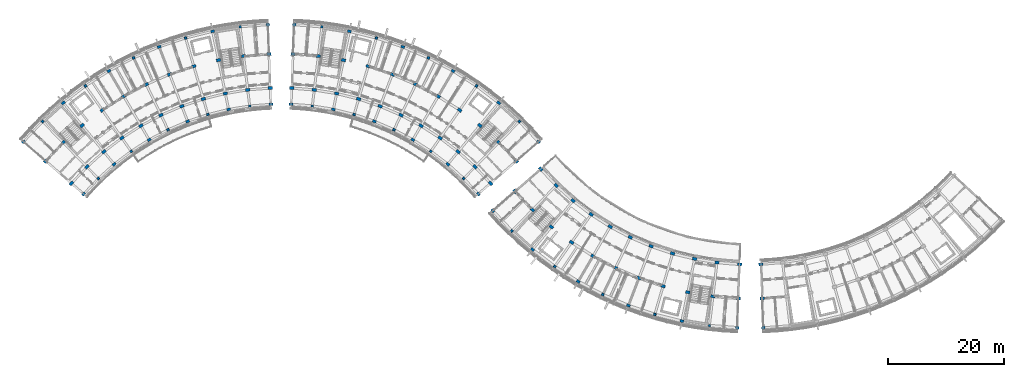
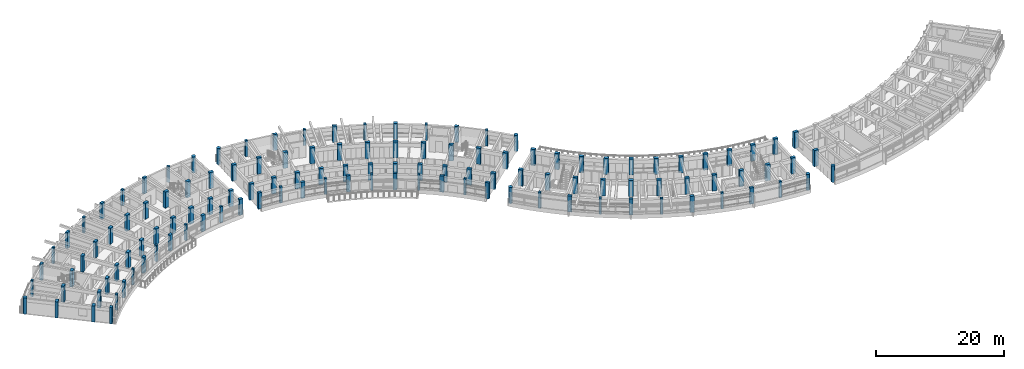
# One storey, part 1 of 54: 124 columns.
"""IFC4 building model written with IfcOpenShell, lengths in metres."""

import ifcopenshell
import ifcopenshell.guid

model = None  # the IFC model being written
_history = None  # IfcOwnerHistory: only IFC2X3 demands one
_inside = {}  # id of a spatial element -> (the spatial element, [elements in it])
_under = {}  # id of a project, library or spatial element -> (it, [spatial elements below it])
_declared = {}  # id of a project -> (the project, [libraries it declares])
_typed = {}  # id of a type object -> (the type object, [elements of that type])
_made_of = {}  # id of a material, layer set ... -> (it, [elements and type objects made of it])


def new_model(schema):
    """Start an empty IFC model of exactly this schema.

    Asked for "IFC4X3", IfcOpenShell would pick the latest addendum, in which some entities
    have other attributes; the version numbers below select the first issue.
    IFC2X3 requires an IfcOwnerHistory on every rooted entity: one is made here for all.
    """
    global model, _history
    if schema == "IFC4X3":
        model = ifcopenshell.file(schema_version=(4, 3, 0, 0))
    else:
        model = ifcopenshell.file(schema=schema)
    _inside.clear()
    _under.clear()
    _declared.clear()
    _typed.clear()
    _made_of.clear()
    _history = None
    if model.schema == "IFC2X3":
        org = make("IfcOrganization", Name="unknown")
        user = make(
            "IfcPersonAndOrganization",
            ThePerson=make("IfcPerson", FamilyName="unknown"),
            TheOrganization=org,
        )
        app = make(
            "IfcApplication",
            ApplicationDeveloper=org,
            Version="unknown",
            ApplicationFullName="unknown",
            ApplicationIdentifier="unknown",
        )
        _history = make(
            "IfcOwnerHistory",
            OwningUser=user,
            OwningApplication=app,
            ChangeAction="ADDED",
            CreationDate=0,
        )
    return model


def make(cls, **values):
    """One entity of the class cls with the attributes given. An attribute that is None is left unset."""
    return model.create_entity(
        cls, **{name: value for name, value in values.items() if value is not None}
    )


def rooted(cls, **values):
    """An entity with a GlobalId (a new one), such as an element, a storey or a relation."""
    return make(cls, GlobalId=ifcopenshell.guid.new(), OwnerHistory=_history, **values)


def si_unit(unit_type, name, prefix=None):
    """IfcSIUnit, for example si_unit("LENGTHUNIT", "METRE", prefix="MILLI")."""
    return make("IfcSIUnit", UnitType=unit_type, Prefix=prefix, Name=name)


def assignment(units):
    """IfcUnitAssignment: the units of a project."""
    return None if units is None else make("IfcUnitAssignment", Units=units)


def point(xyz):
    """IfcCartesianPoint."""
    return None if xyz is None else make("IfcCartesianPoint", Coordinates=xyz)


def direction(xyz):
    """IfcDirection."""
    return None if xyz is None else make("IfcDirection", DirectionRatios=xyz)


def frame(location, z_axis=None, x_axis=None):
    """IfcAxis2Placement3D, a coordinate frame: its origin and axes. An axis left out is left unset."""
    return make(
        "IfcAxis2Placement3D",
        Location=point(location),
        Axis=direction(z_axis),
        RefDirection=direction(x_axis),
    )


def frame_2d(location, x_axis=None):
    """IfcAxis2Placement2D, a coordinate frame in the plane: its origin and x axis."""
    return make(
        "IfcAxis2Placement2D", Location=point(location), RefDirection=direction(x_axis)
    )


def origin():
    """The frame at (0, 0, 0) with its axes left unset."""
    return frame((0.0, 0.0, 0.0))


def origin_2d():
    """The frame at (0, 0) in the plane with its x axis left unset."""
    return frame_2d((0.0, 0.0))


def place(relative_to, where):
    """IfcLocalPlacement: puts the frame where relative to a parent placement (None: the world)."""
    return make(
        "IfcLocalPlacement", PlacementRelTo=relative_to, RelativePlacement=where
    )


def context(
    kind, dimensions, precision=None, world=None, true_north=None, identifier=None
):
    """IfcGeometricRepresentationContext, for example the 3D "Model" context."""
    return make(
        "IfcGeometricRepresentationContext",
        ContextIdentifier=identifier,
        ContextType=kind,
        CoordinateSpaceDimension=dimensions,
        Precision=precision,
        WorldCoordinateSystem=world,
        TrueNorth=true_north,
    )


def subcontext(parent, identifier, kind, view, scale=None):
    """IfcGeometricRepresentationSubContext, for example "Body" below "Model"."""
    return make(
        "IfcGeometricRepresentationSubContext",
        ContextIdentifier=identifier,
        ContextType=kind,
        ParentContext=parent,
        TargetScale=scale,
        TargetView=view,
    )


def project(units=None, contexts=None):
    """IfcProject with its units and contexts."""
    return rooted(
        "IfcProject",
        Name="project",
        RepresentationContexts=contexts,
        UnitsInContext=assignment(units),
    )


def spatial(cls, under=None, at=None, **own):
    """A site, building, storey or space (cls), placed at a placement, below another one or the project."""
    s = rooted(cls, ObjectPlacement=at, **own)
    if under is not None:
        _under.setdefault(under.id(), (under, []))[1].append(s)
    return s


def profile(cls, at=None, kind="AREA", **sizes):
    """A parametric profile (cls). Its sizes go by their IFC names, for example OverallWidth=200.0."""
    return make(cls, ProfileType=kind, Position=at, **sizes)


def rectangle(**sizes):
    """IfcRectangleProfileDef."""
    return profile("IfcRectangleProfileDef", **sizes)


def circle(**sizes):
    """IfcCircleProfileDef."""
    return profile("IfcCircleProfileDef", **sizes)


def extrude(swept, where, along, depth):
    """IfcExtrudedAreaSolid: the profile swept, set in the frame where, extruded along a direction by depth."""
    return make(
        "IfcExtrudedAreaSolid",
        SweptArea=swept,
        Position=where,
        ExtrudedDirection=direction(along),
        Depth=depth,
    )


def shape(context_of_items, identifier, shape_type, items):
    """IfcShapeRepresentation: the items that make up one representation, for example the "Body"."""
    return make(
        "IfcShapeRepresentation",
        ContextOfItems=context_of_items,
        RepresentationIdentifier=identifier,
        RepresentationType=shape_type,
        Items=items,
    )


def material(Name=None, Category=None):
    """IfcMaterial."""
    return make("IfcMaterial", Name=Name, Category=Category)


def material_profile(
    of_material, cross_section, Name=None, Category=None, Priority=None
):
    """IfcMaterialProfile: a cross section and its material."""
    return make(
        "IfcMaterialProfile",
        Name=Name,
        Material=of_material,
        Profile=cross_section,
        Priority=Priority,
        Category=Category,
    )


def profile_set(profiles, Name=None, composite=None):
    """IfcMaterialProfileSet."""
    return make(
        "IfcMaterialProfileSet",
        Name=Name,
        MaterialProfiles=profiles,
        CompositeProfile=composite,
    )


def made_of(thing, what):
    """Note that an element or type object is made of a material, layer set ...; save() writes the relation."""
    if what is not None:
        _made_of.setdefault(what.id(), (what, []))[1].append(thing)
    return thing


def type_object(cls, material=None, **own):
    """A type object (cls), such as IfcWallType, which elements share."""
    return made_of(rooted(cls, **own), material)


def element(
    cls,
    number,
    at=None,
    inside=None,
    cuts=None,
    type_object=None,
    material=None,
    context=None,
    identifier="Body",
    shape_type=None,
    held_by="IfcProductDefinitionShape",
    body=None,
    shapes=None,
    **own,
):
    """One element of the class cls, such as IfcWall. Its Tag is "e" and its number.

    at: its placement. inside: the storey or other place that contains it. cuts: it is an
    opening in that element (IfcRelVoidsElement). A single representation is given by context,
    identifier, shape_type and body (its items); several are given by shapes. held_by: the class
    of the entity that holds the representations. save() writes the other relations.
    """
    e = rooted(cls, Tag="e%d" % number, ObjectPlacement=at, **own)
    if body is not None:
        shapes = [shape(context, identifier, shape_type, body)]
    if shapes is not None:
        e.Representation = make(held_by, Representations=shapes)
    if inside is not None:
        _inside.setdefault(inside.id(), (inside, []))[1].append(e)
    if cuts is not None:
        rooted(
            "IfcRelVoidsElement", RelatingBuildingElement=cuts, RelatedOpeningElement=e
        )
    if type_object is not None:
        _typed.setdefault(type_object.id(), (type_object, []))[1].append(e)
    return made_of(e, material)


def aggregate(whole, parts):
    """IfcRelAggregates: a whole, such as a stair, and the parts it consists of."""
    return rooted("IfcRelAggregates", RelatingObject=whole, RelatedObjects=parts)


def save(model, path):
    """Write the relations noted so far, then the file.

    IfcRelAggregates (storeys below a building ...), IfcRelContainedInSpatialStructure (elements
    in a storey), IfcRelDefinesByType, IfcRelAssociatesMaterial and IfcRelDeclares: one each for
    every whole, place, type object, material and project.
    """
    for whole, parts in _under.values():
        aggregate(whole, parts)
    for where, things in _inside.values():
        rooted(
            "IfcRelContainedInSpatialStructure",
            RelatedElements=things,
            RelatingStructure=where,
        )
    for kind, things in _typed.values():
        rooted("IfcRelDefinesByType", RelatedObjects=things, RelatingType=kind)
    for what, things in _made_of.values():
        rooted("IfcRelAssociatesMaterial", RelatedObjects=things, RelatingMaterial=what)
    for by, libraries in _declared.values():
        rooted("IfcRelDeclares", RelatingContext=by, RelatedDefinitions=libraries)
    model.write(path)


model = new_model("IFC4")

# Units and contexts
model_context = context("Model", 3, precision=1e-05, world=origin(), true_north=direction((0.0, 1.0)))
body_context = subcontext(model_context, "Body", "Model", "MODEL_VIEW")
ifc_project = project(units=[si_unit("LENGTHUNIT", "METRE"), si_unit("AREAUNIT", "SQUARE_METRE"), si_unit("VOLUMEUNIT", "CUBIC_METRE"), si_unit("PLANEANGLEUNIT", "RADIAN"), si_unit("MASSUNIT", "GRAM", prefix="KILO")], contexts=[model_context])

# Site, building, storey
site_placement = place(None, origin())
site = spatial("IfcSite", under=ifc_project, at=site_placement, CompositionType="ELEMENT")
building_placement = place(site_placement, origin())
building = spatial("IfcBuilding", under=site, at=building_placement, Name="Zimvara Arc Housing Community", CompositionType="ELEMENT")
storey_placement = place(building_placement, frame((0.0, 0.0, 23.60009765625)))
storey = spatial("IfcBuildingStorey", under=building, at=storey_placement, Name="L07", CompositionType="ELEMENT", Elevation=23.60009765625)

# Columns
ifc_material_1 = material(Name="Concrete C40/50", Category="concrete")
ifc_material_profile_1 = material_profile(ifc_material_1, rectangle(XDim=0.39990234375, YDim=0.39990234375, at=origin_2d()), Name="RC 400x400")
ifc_profile_set_1 = profile_set([ifc_material_profile_1], Name="Concrete C40/50")
column_type_1 = type_object("IfcColumnType", Name="COL-RC-400x400", PredefinedType="COLUMN", material=ifc_profile_set_1)
for number, where, z_axis, x_axis, name in (
    (1, (13.476318359375, 76.781005859375, 0.0), (0.0, 0.0, 1.0), (-0.698665066769, 0.715448897181, 0.0), "col:blkA:L07:b1:r0"),
    (2, (3.862548828125, 86.625732421875, 0.0), (0.0, 0.0, 1.0), (-0.698665066769, 0.715448897181, 0.0), "col:blkA:L07:b1:r3"),
    (3, (19.14599609375, 81.478271484375, 0.0), (0.0, 0.0, 1.0), (-0.573004420611, 0.819552276527, 0.0), "col:blkA:L07:b3:r0"),
    (4, (11.261474609375, 92.755126953125, 0.0), (0.0, 0.0, 1.0), (-0.573004420611, 0.819552276527, 0.0), "col:blkA:L07:b3:r3"),
    (5, (25.50439453125, 85.190673828125, 0.0), (0.0, 0.0, 1.0), (-0.432085748802, 0.901832526405, 0.0), "col:blkA:L07:b5:r0"),
    (6, (19.558837890625, 97.599853515625, 0.0), (0.0, 0.0, 1.0), (-0.432085748802, 0.901832526405, 0.0), "col:blkA:L07:b5:r3"),
    (7, (32.381591796875, 87.819580078125, 0.0), (0.0, 0.0, 1.0), (-0.27966144946, 0.96009867914, 0.0), "col:blkA:L07:b7:r0"),
    (8, (28.533447265625, 101.030517578125, 0.0), (0.0, 0.0, 1.0), (-0.27966144946, 0.96009867914, 0.0), "col:blkA:L07:b7:r3"),
    (9, (39.594970703125, 89.295166015625, 0.0), (0.0, 0.0, 1.0), (-0.119790293837, 0.992799217114, 0.0), "col:blkA:L07:b9:r0"),
    (10, (37.94677734375, 102.9560546875, 0.0), (0.0, 0.0, 1.0), (-0.119790293837, 0.992799217114, 0.0), "col:blkA:L07:b9:r3"),
    (11, (50.405029296875, 89.295166015625, 0.0), (0.0, 0.0, 1.0), (0.119790293837, 0.992799217114, 0.0), "col:blkB:L07:b1:r0"),
    (12, (52.05322265625, 102.9560546875, 0.0), (0.0, 0.0, 1.0), (0.119790293837, 0.992799217114, 0.0), "col:blkB:L07:b1:r3"),
    (13, (57.618408203125, 87.819580078125, 0.0), (0.0, 0.0, 1.0), (0.27966144946, 0.96009867914, 0.0), "col:blkB:L07:b3:r0"),
    (14, (61.466552734375, 101.030517578125, 0.0), (0.0, 0.0, 1.0), (0.27966144946, 0.96009867914, 0.0), "col:blkB:L07:b3:r3"),
    (15, (64.49560546875, 85.190673828125, 0.0), (0.0, 0.0, 1.0), (0.432085748802, 0.901832526405, 0.0), "col:blkB:L07:b5:r0"),
    (16, (70.441162109375, 97.599853515625, 0.0), (0.0, 0.0, 1.0), (0.432085748802, 0.901832526405, 0.0), "col:blkB:L07:b5:r3"),
    (17, (70.85400390625, 81.478271484375, 0.0), (0.0, 0.0, 1.0), (0.573004420611, 0.819552276527, 0.0), "col:blkB:L07:b7:r0"),
    (18, (78.738525390625, 92.755126953125, 0.0), (0.0, 0.0, 1.0), (0.573004420611, 0.819552276527, 0.0), "col:blkB:L07:b7:r3"),
    (19, (76.523681640625, 76.781005859375, 0.0), (0.0, 0.0, 1.0), (0.698665066769, 0.715448897181, 0.0), "col:blkB:L07:b9:r0"),
    (20, (86.137451171875, 86.625732421875, 0.0), (0.0, 0.0, 1.0), (0.698665066769, 0.715448897181, 0.0), "col:blkB:L07:b9:r3"),
    (21, (84.842529296875, 67.734375, 0.0), (0.0, 0.0, 1.0), (-0.698665066769, -0.715448897181, 0.0), "col:blkC:L07:b1:r3"),
    (22, (92.241455078125, 61.604736328125, 0.0), (0.0, 0.0, 1.0), (-0.573004420611, -0.819552276527, 0.0), "col:blkC:L07:b3:r3"),
    (23, (100.538818359375, 56.760009765625, 0.0), (0.0, 0.0, 1.0), (-0.432085748802, -0.901832526405, 0.0), "col:blkC:L07:b5:r3"),
    (24, (109.513427734375, 53.329345703125, 0.0), (0.0, 0.0, 1.0), (-0.27966144946, -0.96009867914, 0.0), "col:blkC:L07:b7:r3"),
    (25, (118.9267578125, 51.404052734375, 0.0), (0.0, 0.0, 1.0), (-0.119790293837, -0.992799217114, 0.0), "col:blkC:L07:b9:r3"),
):
    element("IfcColumn", number, at=place(storey_placement, frame(where, z_axis=z_axis, x_axis=x_axis)), inside=storey, type_object=column_type_1, Name=name, PredefinedType="COLUMN", context=body_context, shape_type="SweptSolid", body=[
        extrude(rectangle(XDim=0.39990234375, YDim=0.39990234375, at=origin_2d()), origin(), (0.0, 0.0, 1.0), 3.099853515625),
    ])
ifc_material_2 = material(Name="Concrete C40/50", Category="concrete")
ifc_material_profile_2 = material_profile(ifc_material_2, rectangle(XDim=0.449951171875, YDim=0.64990234375, at=origin_2d()), Name="RC 450x650")
ifc_profile_set_2 = profile_set([ifc_material_profile_2], Name="Concrete C40/50")
column_type_2 = type_object("IfcColumnType", Name="COL-RC-450x650", PredefinedType="COLUMN", material=ifc_profile_set_2)
for number, where, z_axis, x_axis, name in (
    (26, (10.947509765625, 74.101318359375, 0.0), (0.0, 0.0, 1.0), (-0.754709580223, 0.656059028991, 0.0), "col:blkA:L07:b0:r0"),
    (27, (16.215087890625, 79.245361328125, 0.0), (0.0, 0.0, 1.0), (-0.637961754089, 0.770068049148, 0.0), "col:blkA:L07:b2:r0"),
    (28, (7.436767578125, 89.841552734375, 0.0), (0.0, 0.0, 1.0), (-0.637961754089, 0.770068049148, 0.0), "col:blkA:L07:b2:r3"),
    (29, (22.249267578125, 83.46435546875, 0.0), (0.0, 0.0, 1.0), (-0.504226211181, 0.863571611366, 0.0), "col:blkA:L07:b4:r0"),
    (30, (15.311279296875, 95.34716796875, 0.0), (0.0, 0.0, 1.0), (-0.504226211181, 0.863571611366, 0.0), "col:blkA:L07:b4:r3"),
    (31, (28.88916015625, 86.645751953125, 0.0), (0.0, 0.0, 1.0), (-0.357064076459, 0.934079892355, 0.0), "col:blkA:L07:b6:r0"),
    (32, (23.97607421875, 99.49853515625, 0.0), (0.0, 0.0, 1.0), (-0.357064076459, 0.934079892355, 0.0), "col:blkA:L07:b6:r3"),
    (33, (35.958251953125, 88.704833984375, 0.0), (0.0, 0.0, 1.0), (-0.200393999665, 0.979715389742, 0.0), "col:blkA:L07:b8:r0"),
    (34, (33.20068359375, 102.185546875, 0.0), (0.0, 0.0, 1.0), (-0.200393999665, 0.979715389742, 0.0), "col:blkA:L07:b8:r3"),
    (35, (43.267822265625, 89.586669921875, 0.0), (0.0, 0.0, 1.0), (-0.038387809088, 0.999262916411, 0.0), "col:blkA:L07:b10:r0"),
    (36, (46.732177734375, 89.586669921875, 0.0), (0.0, 0.0, 1.0), (0.038387809088, 0.999262916411, 0.0), "col:blkB:L07:b0:r0"),
    (37, (54.041748046875, 88.704833984375, 0.0), (0.0, 0.0, 1.0), (0.200393999665, 0.979715389742, 0.0), "col:blkB:L07:b2:r0"),
    (38, (56.79931640625, 102.185546875, 0.0), (0.0, 0.0, 1.0), (0.200393999665, 0.979715389742, 0.0), "col:blkB:L07:b2:r3"),
    (39, (61.11083984375, 86.645751953125, 0.0), (0.0, 0.0, 1.0), (0.357064076459, 0.934079892355, 0.0), "col:blkB:L07:b4:r0"),
    (40, (66.02392578125, 99.49853515625, 0.0), (0.0, 0.0, 1.0), (0.357064076459, 0.934079892355, 0.0), "col:blkB:L07:b4:r3"),
    (41, (67.750732421875, 83.46435546875, 0.0), (0.0, 0.0, 1.0), (0.504226211181, 0.863571611366, 0.0), "col:blkB:L07:b6:r0"),
    (42, (74.688720703125, 95.34716796875, 0.0), (0.0, 0.0, 1.0), (0.504226211181, 0.863571611366, 0.0), "col:blkB:L07:b6:r3"),
    (43, (73.784912109375, 79.245361328125, 0.0), (0.0, 0.0, 1.0), (0.637961754089, 0.770068049148, 0.0), "col:blkB:L07:b8:r0"),
    (44, (82.563232421875, 89.841552734375, 0.0), (0.0, 0.0, 1.0), (0.637961754089, 0.770068049148, 0.0), "col:blkB:L07:b8:r3"),
    (45, (79.052490234375, 74.101318359375, 0.0), (0.0, 0.0, 1.0), (0.754709580223, 0.656059028991, 0.0), "col:blkB:L07:b10:r0"),
    (46, (88.416748046875, 64.518310546875, 0.0), (0.0, 0.0, 1.0), (-0.637961754089, -0.770068049148, 0.0), "col:blkC:L07:b2:r3"),
    (47, (96.291259765625, 59.012939453125, 0.0), (0.0, 0.0, 1.0), (-0.504226211181, -0.863571611366, 0.0), "col:blkC:L07:b4:r3"),
    (48, (104.9560546875, 54.861328125, 0.0), (0.0, 0.0, 1.0), (-0.357064076459, -0.934079892355, 0.0), "col:blkC:L07:b6:r3"),
    (49, (114.180908203125, 52.17431640625, 0.0), (0.0, 0.0, 1.0), (-0.200393999665, -0.979715389742, 0.0), "col:blkC:L07:b8:r3"),
):
    element("IfcColumn", number, at=place(storey_placement, frame(where, z_axis=z_axis, x_axis=x_axis)), inside=storey, type_object=column_type_2, Name=name, PredefinedType="COLUMN", context=body_context, shape_type="SweptSolid", body=[
        extrude(rectangle(XDim=0.449951171875, YDim=0.64990234375, at=origin_2d()), origin(), (0.0, 0.0, 1.0), 3.099853515625),
    ])
ifc_material_3 = material(Name="Concrete C40/50", Category="concrete")
ifc_material_profile_3 = material_profile(ifc_material_3, rectangle(XDim=0.5, YDim=0.75, at=origin_2d()), Name="RC 500x750")
ifc_profile_set_3 = profile_set([ifc_material_profile_3], Name="Concrete C40/50")
column_type_3 = type_object("IfcColumnType", Name="COL-RC-500x750", PredefinedType="COLUMN", material=ifc_profile_set_3)
for number, where, z_axis, x_axis, name in (
    (50, (8.834228515625, 75.938232421875, 0.0), (0.0, 0.0, 1.0), (-0.754709580223, 0.656059028991, 0.0), "col:blkA:L07:b0:r1"),
    (51, (4.396728515625, 79.7958984375, 0.0), (0.0, 0.0, 1.0), (-0.754709580223, 0.656059028991, 0.0), "col:blkA:L07:b0:r2"),
    (52, (11.52001953125, 78.784423828125, 0.0), (0.0, 0.0, 1.0), (-0.698665066769, 0.715448897181, 0.0), "col:blkA:L07:b1:r1"),
    (53, (7.411865234375, 82.9912109375, 0.0), (0.0, 0.0, 1.0), (-0.698665066769, 0.715448897181, 0.0), "col:blkA:L07:b1:r2"),
    (54, (14.428955078125, 81.401611328125, 0.0), (0.0, 0.0, 1.0), (-0.637961754089, 0.770068049148, 0.0), "col:blkA:L07:b2:r1"),
    (55, (10.677734375, 85.9296875, 0.0), (0.0, 0.0, 1.0), (-0.637961754089, 0.770068049148, 0.0), "col:blkA:L07:b2:r2"),
    (56, (17.541748046875, 83.77294921875, 0.0), (0.0, 0.0, 1.0), (-0.573004420611, 0.819552276527, 0.0), "col:blkA:L07:b3:r1"),
    (57, (14.17236328125, 88.591796875, 0.0), (0.0, 0.0, 1.0), (-0.573004420611, 0.819552276527, 0.0), "col:blkA:L07:b3:r2"),
    (58, (20.83740234375, 85.88232421875, 0.0), (0.0, 0.0, 1.0), (-0.504226211181, 0.863571611366, 0.0), "col:blkA:L07:b4:r1"),
    (59, (17.87255859375, 90.960205078125, 0.0), (0.0, 0.0, 1.0), (-0.504226211181, 0.863571611366, 0.0), "col:blkA:L07:b4:r2"),
    (60, (24.29443359375, 87.7158203125, 0.0), (0.0, 0.0, 1.0), (-0.432085748802, 0.901832526405, 0.0), "col:blkA:L07:b5:r1"),
    (61, (21.75390625, 93.0185546875, 0.0), (0.0, 0.0, 1.0), (-0.432085748802, 0.901832526405, 0.0), "col:blkA:L07:b5:r2"),
    (62, (27.889404296875, 89.260986328125, 0.0), (0.0, 0.0, 1.0), (-0.357064076459, 0.934079892355, 0.0), "col:blkA:L07:b6:r1"),
    (63, (25.7900390625, 94.75341796875, 0.0), (0.0, 0.0, 1.0), (-0.357064076459, 0.934079892355, 0.0), "col:blkA:L07:b6:r2"),
    (64, (31.5986328125, 90.5078125, 0.0), (0.0, 0.0, 1.0), (-0.27966144946, 0.96009867914, 0.0), "col:blkA:L07:b7:r1"),
    (65, (29.9541015625, 96.1533203125, 0.0), (0.0, 0.0, 1.0), (-0.27966144946, 0.96009867914, 0.0), "col:blkA:L07:b7:r2"),
    (66, (35.397216796875, 91.447998046875, 0.0), (0.0, 0.0, 1.0), (-0.200393999665, 0.979715389742, 0.0), "col:blkA:L07:b8:r1"),
    (67, (34.21875, 97.208740234375, 0.0), (0.0, 0.0, 1.0), (-0.200393999665, 0.979715389742, 0.0), "col:blkA:L07:b8:r2"),
    (68, (39.259765625, 92.074951171875, 0.0), (0.0, 0.0, 1.0), (-0.119790293837, 0.992799217114, 0.0), "col:blkA:L07:b9:r1"),
    (69, (38.55517578125, 97.91259765625, 0.0), (0.0, 0.0, 1.0), (-0.119790293837, 0.992799217114, 0.0), "col:blkA:L07:b9:r2"),
    (70, (43.160400390625, 92.384765625, 0.0), (0.0, 0.0, 1.0), (-0.038387809088, 0.999262916411, 0.0), "col:blkA:L07:b10:r1"),
    (71, (42.934814453125, 98.26025390625, 0.0), (0.0, 0.0, 1.0), (-0.038387809088, 0.999262916411, 0.0), "col:blkA:L07:b10:r2"),
    (72, (46.839599609375, 92.384765625, 0.0), (0.0, 0.0, 1.0), (0.038387809088, 0.999262916411, 0.0), "col:blkB:L07:b0:r1"),
    (73, (47.065185546875, 98.26025390625, 0.0), (0.0, 0.0, 1.0), (0.038387809088, 0.999262916411, 0.0), "col:blkB:L07:b0:r2"),
    (74, (50.740234375, 92.074951171875, 0.0), (0.0, 0.0, 1.0), (0.119790293837, 0.992799217114, 0.0), "col:blkB:L07:b1:r1"),
    (75, (51.44482421875, 97.91259765625, 0.0), (0.0, 0.0, 1.0), (0.119790293837, 0.992799217114, 0.0), "col:blkB:L07:b1:r2"),
    (76, (54.602783203125, 91.447998046875, 0.0), (0.0, 0.0, 1.0), (0.200393999665, 0.979715389742, 0.0), "col:blkB:L07:b2:r1"),
    (77, (55.78125, 97.208740234375, 0.0), (0.0, 0.0, 1.0), (0.200393999665, 0.979715389742, 0.0), "col:blkB:L07:b2:r2"),
    (78, (58.4013671875, 90.5078125, 0.0), (0.0, 0.0, 1.0), (0.27966144946, 0.96009867914, 0.0), "col:blkB:L07:b3:r1"),
    (79, (60.0458984375, 96.1533203125, 0.0), (0.0, 0.0, 1.0), (0.27966144946, 0.96009867914, 0.0), "col:blkB:L07:b3:r2"),
    (80, (62.110595703125, 89.260986328125, 0.0), (0.0, 0.0, 1.0), (0.357064076459, 0.934079892355, 0.0), "col:blkB:L07:b4:r1"),
    (81, (64.2099609375, 94.75341796875, 0.0), (0.0, 0.0, 1.0), (0.357064076459, 0.934079892355, 0.0), "col:blkB:L07:b4:r2"),
    (82, (65.70556640625, 87.7158203125, 0.0), (0.0, 0.0, 1.0), (0.432085748802, 0.901832526405, 0.0), "col:blkB:L07:b5:r1"),
    (83, (68.24609375, 93.0185546875, 0.0), (0.0, 0.0, 1.0), (0.432085748802, 0.901832526405, 0.0), "col:blkB:L07:b5:r2"),
    (84, (69.16259765625, 85.88232421875, 0.0), (0.0, 0.0, 1.0), (0.504226211181, 0.863571611366, 0.0), "col:blkB:L07:b6:r1"),
    (85, (72.12744140625, 90.960205078125, 0.0), (0.0, 0.0, 1.0), (0.504226211181, 0.863571611366, 0.0), "col:blkB:L07:b6:r2"),
    (86, (72.458251953125, 83.77294921875, 0.0), (0.0, 0.0, 1.0), (0.573004420611, 0.819552276527, 0.0), "col:blkB:L07:b7:r1"),
    (87, (75.82763671875, 88.591796875, 0.0), (0.0, 0.0, 1.0), (0.573004420611, 0.819552276527, 0.0), "col:blkB:L07:b7:r2"),
    (88, (75.571044921875, 81.401611328125, 0.0), (0.0, 0.0, 1.0), (0.637961754089, 0.770068049148, 0.0), "col:blkB:L07:b8:r1"),
    (89, (79.322265625, 85.9296875, 0.0), (0.0, 0.0, 1.0), (0.637961754089, 0.770068049148, 0.0), "col:blkB:L07:b8:r2"),
    (90, (78.47998046875, 78.784423828125, 0.0), (0.0, 0.0, 1.0), (0.698665066769, 0.715448897181, 0.0), "col:blkB:L07:b9:r1"),
    (91, (82.588134765625, 82.9912109375, 0.0), (0.0, 0.0, 1.0), (0.698665066769, 0.715448897181, 0.0), "col:blkB:L07:b9:r2"),
    (92, (81.165771484375, 75.938232421875, 0.0), (0.0, 0.0, 1.0), (0.754709580223, 0.656059028991, 0.0), "col:blkB:L07:b10:r1"),
    (93, (85.603271484375, 79.7958984375, 0.0), (0.0, 0.0, 1.0), (0.754709580223, 0.656059028991, 0.0), "col:blkB:L07:b10:r2"),
    (94, (89.814208984375, 78.421630859375, 0.0), (0.0, 0.0, 1.0), (-0.754709580223, -0.656059028991, 0.0), "col:blkC:L07:b0:r1"),
    (95, (85.376708984375, 74.56396484375, 0.0), (0.0, 0.0, 1.0), (-0.754709580223, -0.656059028991, 0.0), "col:blkC:L07:b0:r2"),
    (96, (92.5, 75.57568359375, 0.0), (0.0, 0.0, 1.0), (-0.698665066769, -0.715448897181, 0.0), "col:blkC:L07:b1:r1"),
    (97, (88.391845703125, 71.368896484375, 0.0), (0.0, 0.0, 1.0), (-0.698665066769, -0.715448897181, 0.0), "col:blkC:L07:b1:r2"),
    (98, (95.408935546875, 72.958251953125, 0.0), (0.0, 0.0, 1.0), (-0.637961754089, -0.770068049148, 0.0), "col:blkC:L07:b2:r1"),
    (99, (91.65771484375, 68.430419921875, 0.0), (0.0, 0.0, 1.0), (-0.637961754089, -0.770068049148, 0.0), "col:blkC:L07:b2:r2"),
    (100, (98.521728515625, 70.587158203125, 0.0), (0.0, 0.0, 1.0), (-0.573004420611, -0.819552276527, 0.0), "col:blkC:L07:b3:r1"),
    (101, (95.15234375, 65.76806640625, 0.0), (0.0, 0.0, 1.0), (-0.573004420611, -0.819552276527, 0.0), "col:blkC:L07:b3:r2"),
    (102, (101.8173828125, 68.4775390625, 0.0), (0.0, 0.0, 1.0), (-0.504226211181, -0.863571611366, 0.0), "col:blkC:L07:b4:r1"),
    (103, (98.8525390625, 63.39990234375, 0.0), (0.0, 0.0, 1.0), (-0.504226211181, -0.863571611366, 0.0), "col:blkC:L07:b4:r2"),
    (104, (105.2744140625, 66.644287109375, 0.0), (0.0, 0.0, 1.0), (-0.432085748802, -0.901832526405, 0.0), "col:blkC:L07:b5:r1"),
    (105, (102.73388671875, 61.34130859375, 0.0), (0.0, 0.0, 1.0), (-0.432085748802, -0.901832526405, 0.0), "col:blkC:L07:b5:r2"),
    (106, (108.869384765625, 65.098876953125, 0.0), (0.0, 0.0, 1.0), (-0.357064076459, -0.934079892355, 0.0), "col:blkC:L07:b6:r1"),
    (107, (106.77001953125, 59.6064453125, 0.0), (0.0, 0.0, 1.0), (-0.357064076459, -0.934079892355, 0.0), "col:blkC:L07:b6:r2"),
    (108, (112.57861328125, 63.85205078125, 0.0), (0.0, 0.0, 1.0), (-0.27966144946, -0.96009867914, 0.0), "col:blkC:L07:b7:r1"),
    (109, (110.934326171875, 58.206787109375, 0.0), (0.0, 0.0, 1.0), (-0.27966144946, -0.96009867914, 0.0), "col:blkC:L07:b7:r2"),
    (110, (116.377197265625, 62.912109375, 0.0), (0.0, 0.0, 1.0), (-0.200393999665, -0.979715389742, 0.0), "col:blkC:L07:b8:r1"),
    (111, (115.19873046875, 57.1513671875, 0.0), (0.0, 0.0, 1.0), (-0.200393999665, -0.979715389742, 0.0), "col:blkC:L07:b8:r2"),
    (112, (120.23974609375, 62.28515625, 0.0), (0.0, 0.0, 1.0), (-0.119790293837, -0.992799217114, 0.0), "col:blkC:L07:b9:r1"),
    (113, (119.535400390625, 56.447509765625, 0.0), (0.0, 0.0, 1.0), (-0.119790293837, -0.992799217114, 0.0), "col:blkC:L07:b9:r2"),
    (114, (124.140380859375, 61.975341796875, 0.0), (0.0, 0.0, 1.0), (-0.038387809088, -0.999262916411, 0.0), "col:blkC:L07:b10:r1"),
    (115, (123.914794921875, 56.099609375, 0.0), (0.0, 0.0, 1.0), (-0.038387809088, -0.999262916411, 0.0), "col:blkC:L07:b10:r2"),
    (116, (127.819580078125, 61.975341796875, 0.0), (0.0, 0.0, 1.0), (0.038387809088, -0.999262916411, 0.0), "col:blkD:L07:b0:r1"),
    (117, (128.045166015625, 56.099609375, 0.0), (0.0, 0.0, 1.0), (0.038387809088, -0.999262916411, 0.0), "col:blkD:L07:b0:r2"),
):
    element("IfcColumn", number, at=place(storey_placement, frame(where, z_axis=z_axis, x_axis=x_axis)), inside=storey, type_object=column_type_3, Name=name, PredefinedType="COLUMN", context=body_context, shape_type="SweptSolid", body=[
        extrude(rectangle(XDim=0.5, YDim=0.75, at=origin_2d()), origin(), (0.0, 0.0, 1.0), 3.099853515625),
    ])
ifc_material_4 = material(Name="Concrete C40/50", Category="concrete")
ifc_material_profile_4 = material_profile(ifc_material_4, circle(Radius=0.324951171875, at=origin_2d()), Name="RC D650")
ifc_profile_set_4 = profile_set([ifc_material_profile_4], Name="Concrete C40/50")
column_type_4 = type_object("IfcColumnType", Name="COL-RC-D600", PredefinedType="COLUMN", material=ifc_profile_set_4)
for number, where, z_axis, x_axis, name in (
    (118, (0.562744140625, 83.128662109375, 0.0), (0.0, 0.0, 1.0), (-0.754709580223, 0.656059028991, 0.0), "col:blkA:L07:b0:r3"),
    (119, (42.73974609375, 103.336669921875, 0.0), (0.0, 0.0, 1.0), (-0.038387809088, 0.999262916411, 0.0), "col:blkA:L07:b10:r3"),
    (120, (47.26025390625, 103.336669921875, 0.0), (0.0, 0.0, 1.0), (0.038387809088, 0.999262916411, 0.0), "col:blkB:L07:b0:r3"),
    (121, (89.437255859375, 83.128662109375, 0.0), (0.0, 0.0, 1.0), (0.754709580223, 0.656059028991, 0.0), "col:blkB:L07:b10:r3"),
    (122, (81.542724609375, 71.231201171875, 0.0), (0.0, 0.0, 1.0), (-0.754709580223, -0.656059028991, 0.0), "col:blkC:L07:b0:r3"),
    (123, (123.7197265625, 51.0234375, 0.0), (0.0, 0.0, 1.0), (-0.038387809088, -0.999262916411, 0.0), "col:blkC:L07:b10:r3"),
    (124, (128.240234375, 51.0234375, 0.0), (0.0, 0.0, 1.0), (0.038387809088, -0.999262916411, 0.0), "col:blkD:L07:b0:r3"),
):
    element("IfcColumn", number, at=place(storey_placement, frame(where, z_axis=z_axis, x_axis=x_axis)), inside=storey, type_object=column_type_4, Name=name, PredefinedType="COLUMN", context=body_context, shape_type="SweptSolid", body=[
        extrude(circle(Radius=0.324951171875, at=origin_2d()), origin(), (0.0, 0.0, 1.0), 3.099853515625),
    ])

save(model, "model.ifc")
